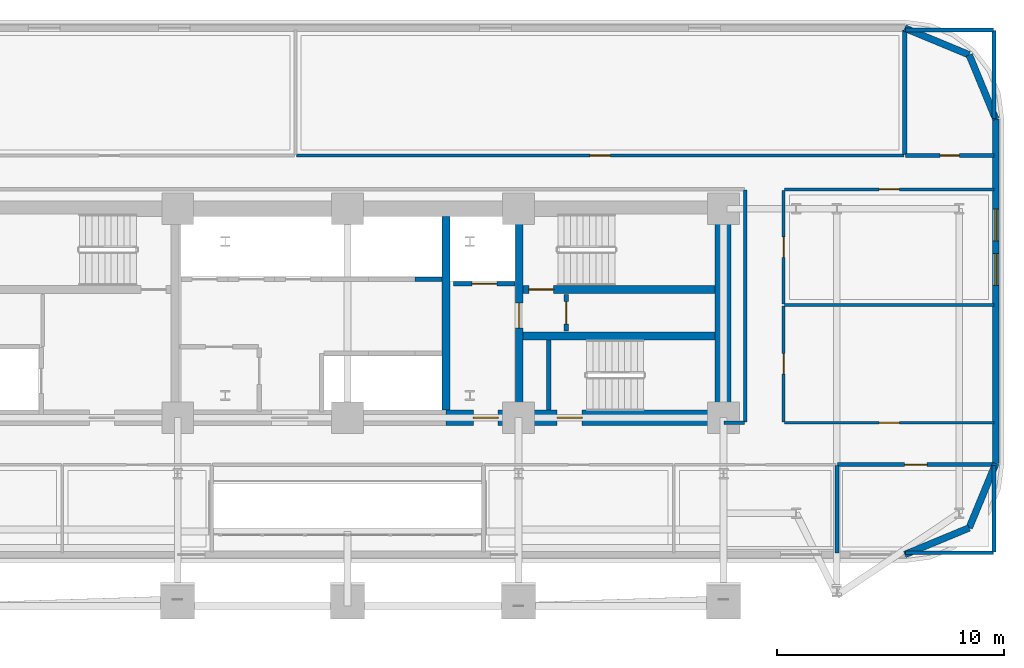
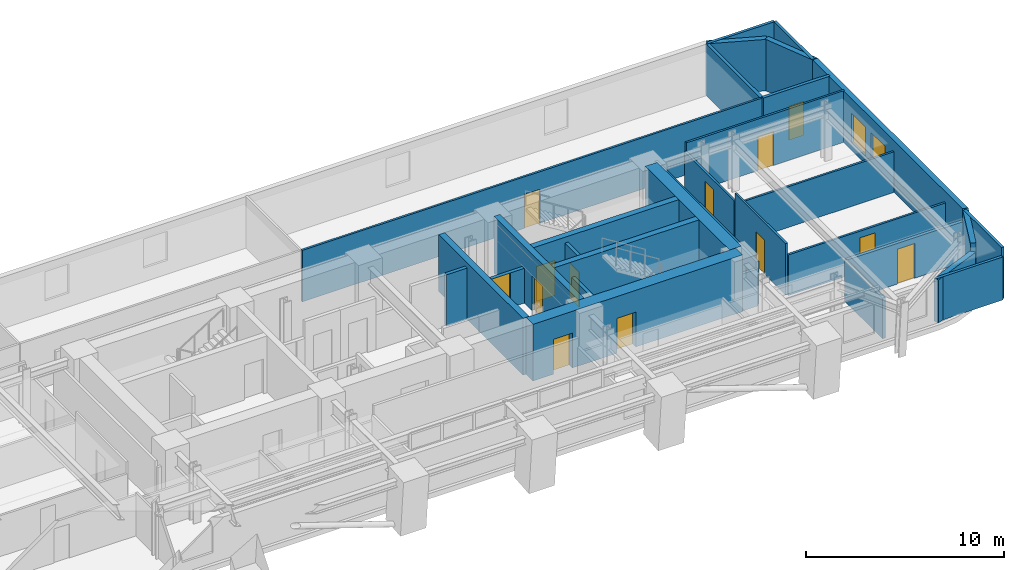
# One storey, part 9 of 15: 31 walls, 13 doors, 2 windows, 15 openings.
"""IFC4 building model written with IfcOpenShell, lengths in metres."""

from ifc_helpers import new_model, si_unit, direction, frame, frame_2d, origin, place, context, subcontext, project, spatial, rectangle, extrude, material, layer, layer_set, type_object, element, fill, save


model = new_model("IFC4")

# Units and contexts
model_context = context("Model", 3, precision=1e-05, world=origin(), true_north=direction((0.0, 1.0)))
body_context = subcontext(model_context, "Body", "Model", "MODEL_VIEW")
ifc_project = project(units=[si_unit("LENGTHUNIT", "METRE"), si_unit("AREAUNIT", "SQUARE_METRE"), si_unit("VOLUMEUNIT", "CUBIC_METRE"), si_unit("PLANEANGLEUNIT", "RADIAN"), si_unit("MASSUNIT", "GRAM", prefix="KILO")], contexts=[model_context])

# Site, building, storey
site_placement = place(None, origin())
site = spatial("IfcSite", under=ifc_project, at=site_placement, CompositionType="ELEMENT")
building_placement = place(site_placement, origin())
building = spatial("IfcBuilding", under=site, at=building_placement, Name="Zarnavel Station Tower", CompositionType="ELEMENT")
storey_placement = place(building_placement, frame((0.0, 0.0, 71.0)))
storey = spatial("IfcBuildingStorey", under=building, at=storey_placement, Name="L19", CompositionType="ELEMENT", Elevation=71.0)

# Wall
ifc_material_1 = material(Name="Concrete C50/60", Category="concrete")
ifc_layer_1 = layer(ifc_material_1, 0.35009765625)
ifc_layer_set_1 = layer_set([ifc_layer_1], Name="CW_350")
wall_type_1 = type_object("IfcWallType", Name="CW_350", PredefinedType="SHEAR", material=ifc_layer_set_1)
wall_1_placement = place(storey_placement, frame((33.14990234375, 28.169921875, 0.0), z_axis=(0.0, 0.0, 1.0), x_axis=(0.0, 1.0, 0.0)))
element("IfcWall", 1, at=wall_1_placement, inside=storey, type_object=wall_type_1, Name="L19 Rear Core Shear Wall DIV-E", PredefinedType="SHEAR", context=body_context, shape_type="SweptSolid", body=[
    extrude(rectangle(XDim=8.530029296875, YDim=0.35009765625, at=frame_2d((4.26513671875, 0.0))), origin(), (0.0, 0.0, 1.0), 3.5),
])

# Wall, opening, door
wall_2_placement = place(storey_placement, frame((36.3798828125, 28.169921875, 0.0), z_axis=(0.0, 0.0, 1.0), x_axis=(0.0, 1.0, 0.0)))
wall_2 = element("IfcWall", 2, at=wall_2_placement, inside=storey, type_object=wall_type_1, Name="L19 Rear Core Shear Wall DIV-S2", PredefinedType="SHEAR", context=body_context, shape_type="SweptSolid", body=[
    extrude(rectangle(XDim=8.530029296875, YDim=0.35009765625, at=frame_2d((4.26513671875, 0.0))), origin(), (0.0, 0.0, 1.0), 3.5),
])
opening_1_placement = place(wall_2_placement, frame((3.610107421875, 0.0, 0.0)))
opening_1 = element("IfcOpeningElement", 3, at=opening_1_placement, cuts=wall_2, Name="Opening FD01", PredefinedType="OPENING", context=body_context, shape_type="SweptSolid", body=[
    extrude(rectangle(XDim=1.10009765625, YDim=2.14990234375, at=frame_2d((0.550048828125, 1.074951171875))), frame((0.0, 0.18505859375, 0.0), z_axis=(0.0, -1.0, 0.0), x_axis=(1.0, 0.0, 0.0)), (0.0, 0.0, 1.0), 0.3701171875),
])
ifc_material_2 = material(Name="Painted Galvanised Steel and Hardwood Leaf", Category="steel")
door_type_1 = type_object("IfcDoorType", Name="ID_STAIR_1100", OperationType="NOTDEFINED", PredefinedType="DOOR", material=ifc_material_2)
door_1_placement = place(opening_1_placement, origin())
door_1 = element("IfcDoor", 4, at=door_1_placement, inside=storey, type_object=door_type_1, Name="L19 East Stair Vestibule Fire Door", OperationType="SINGLE_SWING_LEFT", OverallHeight=2.14990234375, OverallWidth=1.10009765625, PredefinedType="DOOR", context=body_context, shape_type="SweptSolid", body=[
    extrude(rectangle(XDim=1.10009765625, YDim=2.14990234375, at=frame_2d((0.550048828125, 1.074951171875))), frame((0.0, 0.02490234375, 0.0), z_axis=(0.0, -1.0, 0.0), x_axis=(1.0, 0.0, 0.0)), (0.0, 0.0, 1.0), 0.050048828125),
])
fill(opening_1, door_1)

wall_3_placement = place(storey_placement, frame((45.030029296875, 33.47998046875, 0.0), z_axis=(0.0, 0.0, 1.0), x_axis=(-1.0, 0.0, 0.0)))
wall_3 = element("IfcWall", 5, at=wall_3_placement, inside=storey, type_object=wall_type_1, Name="L19 Rear Core Shear Wall DIV-H2", PredefinedType="SHEAR", context=body_context, shape_type="SweptSolid", body=[
    extrude(rectangle(XDim=8.47509765625, YDim=0.35009765625, at=frame_2d((4.237548828125, 0.0))), origin(), (0.0, 0.0, 1.0), 3.5),
])
opening_2_placement = place(wall_3_placement, frame((7.1298828125, 0.0, 0.0)))
opening_2 = element("IfcOpeningElement", 6, at=opening_2_placement, cuts=wall_3, Name="Opening FD01", PredefinedType="OPENING", context=body_context, shape_type="SweptSolid", body=[
    extrude(rectangle(XDim=1.10009765625, YDim=2.14990234375, at=frame_2d((0.550048828125, 1.074951171875))), frame((0.0, 0.18505859375, 0.0), z_axis=(0.0, -1.0, 0.0), x_axis=(1.0, 0.0, 0.0)), (0.0, 0.0, 1.0), 0.3701171875),
])
door_2_placement = place(opening_2_placement, origin())
door_2 = element("IfcDoor", 7, at=door_2_placement, inside=storey, type_object=door_type_1, Name="L19 Stair ST2 Lobby Fire Door", OperationType="SINGLE_SWING_RIGHT", OverallHeight=2.14990234375, OverallWidth=1.10009765625, PredefinedType="DOOR", context=body_context, shape_type="SweptSolid", body=[
    extrude(rectangle(XDim=1.10009765625, YDim=2.14990234375, at=frame_2d((0.550048828125, 1.074951171875))), frame((0.0, 0.02490234375, 0.0), z_axis=(0.0, -1.0, 0.0), x_axis=(1.0, 0.0, 0.0)), (0.0, 0.0, 1.0), 0.050048828125),
])
fill(opening_2, door_2)

# Wall
wall_4_placement = place(storey_placement, frame((36.554931640625, 31.419921875, 0.0), z_axis=(0.0, 0.0, 1.0), x_axis=(1.0, 0.0, 0.0)))
element("IfcWall", 8, at=wall_4_placement, inside=storey, type_object=wall_type_1, Name="L19 Rear Core Shear Wall DIV-H3", PredefinedType="SHEAR", context=body_context, shape_type="SweptSolid", body=[
    extrude(rectangle(XDim=8.47509765625, YDim=0.35009765625, at=frame_2d((4.237548828125, 0.0))), origin(), (0.0, 0.0, 1.0), 3.5),
])

# Wall, openings, doors
ifc_material_3 = material(Name="Concrete C60/75", Category="concrete")
ifc_layer_2 = layer(ifc_material_3, 0.699951171875)
ifc_layer_set_2 = layer_set([ifc_layer_2], Name="CW_700")
wall_type_2 = type_object("IfcWallType", Name="CW_700", PredefinedType="SHEAR", material=ifc_layer_set_2)
wall_5_placement = place(storey_placement, frame((45.3798828125, 27.820068359375, 0.0), z_axis=(0.0, 0.0, 1.0), x_axis=(-1.0, 0.0, 0.0)))
wall_5 = element("IfcWall", 9, at=wall_5_placement, inside=storey, type_object=wall_type_2, Name="L19 Rear Core Shear Wall S-E", PredefinedType="SHEAR", context=body_context, shape_type="SweptSolid", body=[
    extrude(rectangle(XDim=12.22998046875, YDim=0.699951171875, at=frame_2d((6.114990234375, 0.0))), origin(), (0.0, 0.0, 1.0), 3.5),
])
opening_3_placement = place(wall_5_placement, frame((9.929931640625, 0.0, 0.0)))
opening_3 = element("IfcOpeningElement", 10, at=opening_3_placement, cuts=wall_5, Name="Opening FD01", PredefinedType="OPENING", context=body_context, shape_type="SweptSolid", body=[
    extrude(rectangle(XDim=1.10009765625, YDim=2.14990234375, at=frame_2d((0.550048828125, 1.074951171875))), frame((0.0, 0.35986328125, 0.0), z_axis=(0.0, -1.0, 0.0), x_axis=(1.0, 0.0, 0.0)), (0.0, 0.0, 1.0), 0.719970703125),
])
opening_4_placement = place(wall_5_placement, frame((6.22998046875, 0.0, 0.0)))
opening_4 = element("IfcOpeningElement", 11, at=opening_4_placement, cuts=wall_5, Name="Opening FD01", PredefinedType="OPENING", context=body_context, shape_type="SweptSolid", body=[
    extrude(rectangle(XDim=1.10009765625, YDim=2.14990234375, at=frame_2d((0.550048828125, 1.074951171875))), frame((0.0, 0.35986328125, 0.0), z_axis=(0.0, -1.0, 0.0), x_axis=(1.0, 0.0, 0.0)), (0.0, 0.0, 1.0), 0.719970703125),
])
door_3_placement = place(opening_3_placement, origin())
door_3 = element("IfcDoor", 12, at=door_3_placement, inside=storey, type_object=door_type_1, Name="L19 East Firefighting Lobby Door", OperationType="SINGLE_SWING_LEFT", OverallHeight=2.14990234375, OverallWidth=1.10009765625, PredefinedType="DOOR", context=body_context, shape_type="SweptSolid", body=[
    extrude(rectangle(XDim=1.10009765625, YDim=2.14990234375, at=frame_2d((0.550048828125, 1.074951171875))), frame((0.0, 0.02490234375, 0.0), z_axis=(0.0, -1.0, 0.0), x_axis=(1.0, 0.0, 0.0)), (0.0, 0.0, 1.0), 0.050048828125),
])
fill(opening_3, door_3)
door_4_placement = place(opening_4_placement, origin())
door_4 = element("IfcDoor", 13, at=door_4_placement, inside=storey, type_object=door_type_1, Name="L19 Stair ST3 Corridor Fire Door", OperationType="SINGLE_SWING_RIGHT", OverallHeight=2.14990234375, OverallWidth=1.10009765625, PredefinedType="DOOR", context=body_context, shape_type="SweptSolid", body=[
    extrude(rectangle(XDim=1.10009765625, YDim=2.14990234375, at=frame_2d((0.550048828125, 1.074951171875))), frame((0.0, 0.02490234375, 0.0), z_axis=(0.0, -1.0, 0.0), x_axis=(1.0, 0.0, 0.0)), (0.0, 0.0, 1.0), 0.050048828125),
])
fill(opening_4, door_4)

# Walls
wall_6_placement = place(storey_placement, frame((45.3798828125, 28.169921875, 0.0), z_axis=(0.0, 0.0, 1.0), x_axis=(0.0, 1.0, 0.0)))
element("IfcWall", 14, at=wall_6_placement, inside=storey, type_object=wall_type_2, Name="L19 Rear Core Shear Wall E", PredefinedType="SHEAR", context=body_context, shape_type="SweptSolid", body=[
    extrude(rectangle(XDim=8.530029296875, YDim=0.699951171875, at=frame_2d((4.26513671875, 0.0))), origin(), (0.0, 0.0, 1.0), 3.5),
])
ifc_material_4 = material(Name="Precast concrete C45/55 (Dark Basalt Finish)", Category="masonry")
ifc_layer_3 = layer(ifc_material_4, 0.300048828125)
ifc_layer_set_3 = layer_set([ifc_layer_3], Name="EW_BASALT_300")
wall_type_3 = type_object("IfcWallType", Name="EW_BASALT_300", PredefinedType="SOLIDWALL", material=ifc_layer_set_3)
wall_7_placement = place(storey_placement, frame((56.24267578125, 22.95751953125, 0.0), z_axis=(0.0, 0.0, 1.0), x_axis=(-0.923882414032, -0.382676475685, 0.0)))
element("IfcWall", 15, at=wall_7_placement, inside=storey, type_object=wall_type_3, Name="L19 Exterior Basalt Masonry Frame Wall 01", PredefinedType="SOLIDWALL", context=body_context, shape_type="SweptSolid", body=[
    extrude(rectangle(XDim=3.076904296875, YDim=0.300048828125, at=frame_2d((1.53857421875, 0.0))), origin(), (0.0, 0.0, 1.0), 2.659912109375),
])
wall_8_placement = place(storey_placement, frame((57.419921875, 25.800048828125, 0.0), z_axis=(0.0, 0.0, 1.0), x_axis=(-0.382636798336, -0.92389884758, 0.0)))
element("IfcWall", 16, at=wall_8_placement, inside=storey, type_object=wall_type_3, Name="L19 Exterior Basalt Masonry Frame Wall 02", PredefinedType="SOLIDWALL", context=body_context, shape_type="SweptSolid", body=[
    extrude(rectangle(XDim=3.07666015625, YDim=0.300048828125, at=frame_2d((1.538330078125, 0.0))), origin(), (0.0, 0.0, 1.0), 3.179931640625),
])

# Wall, openings, windows
wall_9_placement = place(storey_placement, frame((57.419921875, 41.0, 0.0), z_axis=(0.0, 0.0, 1.0), x_axis=(0.0, -1.0, 0.0)))
wall_9 = element("IfcWall", 17, at=wall_9_placement, inside=storey, type_object=wall_type_3, Name="L19 Exterior Basalt Masonry Frame Wall 03", PredefinedType="SOLIDWALL", context=body_context, shape_type="SweptSolid", body=[
    extrude(rectangle(XDim=15.199951171875, YDim=0.300048828125, at=frame_2d((7.60009765625, 0.0))), origin(), (0.0, 0.0, 1.0), 3.179931640625),
])
opening_5_placement = place(wall_9_placement, frame((3.966796875, 0.0, 0.47998046875)))
opening_5 = element("IfcOpeningElement", 18, at=opening_5_placement, cuts=wall_9, Name="Opening WN01", PredefinedType="OPENING", context=body_context, shape_type="SweptSolid", body=[
    extrude(rectangle(XDim=1.39990234375, YDim=1.800048828125, at=frame_2d((0.699951171875, 0.89990234375))), frame((0.0, 0.159912109375, 0.0), z_axis=(0.0, -1.0, 0.0), x_axis=(1.0, 0.0, 0.0)), (0.0, 0.0, 1.0), 0.320068359375),
])
opening_6_placement = place(wall_9_placement, frame((5.933349609375, 0.0, 0.47998046875)))
opening_6 = element("IfcOpeningElement", 19, at=opening_6_placement, cuts=wall_9, Name="Opening WN01", PredefinedType="OPENING", context=body_context, shape_type="SweptSolid", body=[
    extrude(rectangle(XDim=1.39990234375, YDim=1.800048828125, at=frame_2d((0.699951171875, 0.89990234375))), frame((0.0, 0.159912109375, 0.0), z_axis=(0.0, -1.0, 0.0), x_axis=(1.0, 0.0, 0.0)), (0.0, 0.0, 1.0), 0.320068359375),
])
ifc_material_5 = material(Name="Thermally Broken Black Aluminium and Low-E Dark Glass", Category="aluminium")
window_type = type_object("IfcWindowType", Name="WN_1400x1800", PartitioningType="DOUBLE_PANEL_VERTICAL", PredefinedType="WINDOW", material=ifc_material_5)
window_1_placement = place(opening_5_placement, origin())
window_1 = element("IfcWindow", 20, at=window_1_placement, inside=storey, type_object=window_type, Name="L19 Recessed Facade Window 01", OverallHeight=1.800048828125, OverallWidth=1.39990234375, PartitioningType="SINGLE_PANEL", PredefinedType="WINDOW", context=body_context, shape_type="SweptSolid", body=[
    extrude(rectangle(XDim=1.39990234375, YDim=1.800048828125, at=frame_2d((0.699951171875, 0.89990234375))), frame((0.0, 0.030029296875, 0.0), z_axis=(0.0, -1.0, 0.0), x_axis=(1.0, 0.0, 0.0)), (0.0, 0.0, 1.0), 0.06005859375),
])
fill(opening_5, window_1)
window_2_placement = place(opening_6_placement, origin())
window_2 = element("IfcWindow", 21, at=window_2_placement, inside=storey, type_object=window_type, Name="L19 Recessed Facade Window 02", OverallHeight=1.800048828125, OverallWidth=1.39990234375, PartitioningType="SINGLE_PANEL", PredefinedType="WINDOW", context=body_context, shape_type="SweptSolid", body=[
    extrude(rectangle(XDim=1.39990234375, YDim=1.800048828125, at=frame_2d((0.699951171875, 0.89990234375))), frame((0.0, 0.030029296875, 0.0), z_axis=(0.0, -1.0, 0.0), x_axis=(1.0, 0.0, 0.0)), (0.0, 0.0, 1.0), 0.06005859375),
])
fill(opening_6, window_2)

# Walls
wall_10_placement = place(storey_placement, frame((56.24267578125, 43.842529296875, 0.0), z_axis=(0.0, 0.0, 1.0), x_axis=(0.382636798336, -0.92389884758, 0.0)))
element("IfcWall", 22, at=wall_10_placement, inside=storey, type_object=wall_type_3, Name="L19 Exterior Basalt Masonry Frame Wall 04", PredefinedType="SOLIDWALL", context=body_context, shape_type="SweptSolid", body=[
    extrude(rectangle(XDim=3.07666015625, YDim=0.300048828125, at=frame_2d((1.538330078125, 0.0))), origin(), (0.0, 0.0, 1.0), 3.179931640625),
])
wall_11_placement = place(storey_placement, frame((53.39990234375, 45.02001953125, 0.0), z_axis=(0.0, 0.0, 1.0), x_axis=(0.923882414032, -0.382676475685, 0.0)))
element("IfcWall", 23, at=wall_11_placement, inside=storey, type_object=wall_type_3, Name="L19 Exterior Basalt Masonry Frame Wall 05", PredefinedType="SOLIDWALL", context=body_context, shape_type="SweptSolid", body=[
    extrude(rectangle(XDim=3.076904296875, YDim=0.300048828125, at=frame_2d((1.53857421875, 0.0))), origin(), (0.0, 0.0, 1.0), 3.179931640625),
])
ifc_material_6 = material(Name="Gypsum Twin-Stud Acoustic Fire Partition", Category="concrete")
ifc_layer_4 = layer(ifc_material_6, 0.159912109375)
ifc_layer_set_4 = layer_set([ifc_layer_4], Name="PT_DEMISE_160")
wall_type_4 = type_object("IfcWallType", Name="PT_DEMISE_160", PredefinedType="PARTITIONING", material=ifc_layer_set_4)
wall_12_placement = place(storey_placement, frame((45.409912109375, 27.60009765625, 0.0), z_axis=(0.0, 0.0, 1.0), x_axis=(1.0, 0.0, 0.0)))
element("IfcWall", 24, at=wall_12_placement, inside=storey, type_object=wall_type_4, Name="L19 Enclosure Wall COR-S", PredefinedType="PARTITIONING", context=body_context, shape_type="SweptSolid", body=[
    extrude(rectangle(XDim=0.91015625, YDim=0.159912109375, at=frame_2d((0.455078125, 0.0))), origin(), (0.0, 0.0, 1.0), 2.280029296875),
])
wall_13_placement = place(storey_placement, frame((46.35009765625, 27.6298828125, 0.0), z_axis=(0.0, 0.0, 1.0), x_axis=(0.0, 1.0, 0.0)))
element("IfcWall", 25, at=wall_13_placement, inside=storey, type_object=wall_type_4, Name="L19 Enclosure Wall COR-E", PredefinedType="PARTITIONING", context=body_context, shape_type="SweptSolid", body=[
    extrude(rectangle(XDim=10.240234375, YDim=0.159912109375, at=frame_2d((5.1201171875, 0.0))), origin(), (0.0, 0.0, 1.0), 2.659912109375),
])
wall_14_placement = place(storey_placement, frame((53.429931640625, 44.93994140625, 0.0), z_axis=(0.0, 0.0, 1.0), x_axis=(1.0, 0.0, 0.0)))
element("IfcWall", 26, at=wall_14_placement, inside=storey, type_object=wall_type_4, Name="L19 Enclosure Wall NL6W", PredefinedType="PARTITIONING", context=body_context, shape_type="SweptSolid", body=[
    extrude(rectangle(XDim=3.880126953125, YDim=0.159912109375, at=frame_2d((1.93994140625, 0.0))), origin(), (0.0, 0.0, 1.0), 3.179931640625),
])
wall_15_placement = place(storey_placement, frame((57.340087890625, 41.030029296875, 0.0), z_axis=(0.0, 0.0, 1.0), x_axis=(0.0, 1.0, 0.0)))
element("IfcWall", 27, at=wall_15_placement, inside=storey, type_object=wall_type_4, Name="L19 Enclosure Wall NL6W", PredefinedType="PARTITIONING", context=body_context, shape_type="SweptSolid", body=[
    extrude(rectangle(XDim=3.8798828125, YDim=0.159912109375, at=frame_2d((1.93994140625, 0.0))), origin(), (0.0, 0.0, 1.0), 3.179931640625),
])
wall_16_placement = place(storey_placement, frame((53.429931640625, 21.860107421875, 0.0), z_axis=(0.0, 0.0, 1.0), x_axis=(1.0, 0.0, 0.0)))
element("IfcWall", 28, at=wall_16_placement, inside=storey, type_object=wall_type_4, Name="L19 Enclosure Wall Z1KIT", PredefinedType="PARTITIONING", context=body_context, shape_type="SweptSolid", body=[
    extrude(rectangle(XDim=3.880126953125, YDim=0.159912109375, at=frame_2d((1.93994140625, 0.0))), origin(), (0.0, 0.0, 1.0), 2.659912109375),
])
wall_17_placement = place(storey_placement, frame((57.340087890625, 21.889892578125, 0.0), z_axis=(0.0, 0.0, 1.0), x_axis=(0.0, 1.0, 0.0)))
element("IfcWall", 29, at=wall_17_placement, inside=storey, type_object=wall_type_4, Name="L19 Enclosure Wall Z1KIT", PredefinedType="PARTITIONING", context=body_context, shape_type="SweptSolid", body=[
    extrude(rectangle(XDim=3.830078125, YDim=0.159912109375, at=frame_2d((1.9150390625, 0.0))), origin(), (0.0, 0.0, 1.0), 3.179931640625),
])

# Wall, opening, door
ifc_material_7 = material(Name="Gypsum Metal-Stud Interior Partition", Category="concrete")
ifc_layer_5 = layer(ifc_material_7, 0.1201171875)
ifc_layer_set_5 = layer_set([ifc_layer_5], Name="PT_ROOM_120")
wall_type_5 = type_object("IfcWallType", Name="PT_ROOM_120", PredefinedType="PARTITIONING", material=ifc_layer_set_5)
wall_18_placement = place(storey_placement, frame((48.090087890625, 27.60009765625, 0.0), z_axis=(0.0, 0.0, 1.0), x_axis=(1.0, 0.0, 0.0)))
wall_18 = element("IfcWall", 30, at=wall_18_placement, inside=storey, type_object=wall_type_5, Name="L19 Partition COR-S-FNE6A", PredefinedType="PARTITIONING", context=body_context, shape_type="SweptSolid", body=[
    extrude(rectangle(XDim=9.25, YDim=0.1201171875, at=frame_2d((4.625, 0.0))), origin(), (0.0, 0.0, 1.0), 2.510009765625),
])
opening_7_placement = place(wall_18_placement, frame((4.175048828125, 0.0, 0.0)))
opening_7 = element("IfcOpeningElement", 31, at=opening_7_placement, cuts=wall_18, Name="Opening ID01", PredefinedType="OPENING", context=body_context, shape_type="SweptSolid", body=[
    extrude(rectangle(XDim=0.89990234375, YDim=2.10009765625, at=frame_2d((0.449951171875, 1.050048828125))), frame((0.0, 0.070068359375, 0.0), z_axis=(0.0, -1.0, 0.0), x_axis=(1.0, 0.0, 0.0)), (0.0, 0.0, 1.0), 0.14013671875),
])
ifc_material_8 = material(Name="Painted Galvanised Steel and Hardwood Leaf", Category="steel")
door_type_2 = type_object("IfcDoorType", Name="ID_ROOM_900", OperationType="NOTDEFINED", PredefinedType="DOOR", material=ifc_material_8)
door_5_placement = place(opening_7_placement, origin())
door_5 = element("IfcDoor", 32, at=door_5_placement, inside=storey, type_object=door_type_2, Name="L19 Door COR-S-FNE6A", OperationType="SINGLE_SWING_LEFT", OverallHeight=2.10009765625, OverallWidth=0.89990234375, PredefinedType="DOOR", context=body_context, shape_type="SweptSolid", body=[
    extrude(rectangle(XDim=0.89990234375, YDim=2.10009765625, at=frame_2d((0.449951171875, 1.050048828125))), frame((0.0, 0.02490234375, 0.0), z_axis=(0.0, -1.0, 0.0), x_axis=(1.0, 0.0, 0.0)), (0.0, 0.0, 1.0), 0.050048828125),
])
fill(opening_7, door_5)

wall_19_placement = place(storey_placement, frame((48.050048828125, 27.639892578125, 0.0), z_axis=(0.0, 0.0, 1.0), x_axis=(0.0, 1.0, 0.0)))
wall_19 = element("IfcWall", 33, at=wall_19_placement, inside=storey, type_object=wall_type_5, Name="L19 Partition COR-E-FNE6A", PredefinedType="PARTITIONING", context=body_context, shape_type="SweptSolid", body=[
    extrude(rectangle(XDim=5.1201171875, YDim=0.1201171875, at=frame_2d((2.56005859375, 0.0))), origin(), (0.0, 0.0, 1.0), 3.179931640625),
])
opening_8_placement = place(wall_19_placement, frame((2.110107421875, 0.0, 0.0)))
opening_8 = element("IfcOpeningElement", 34, at=opening_8_placement, cuts=wall_19, Name="Opening ID01", PredefinedType="OPENING", context=body_context, shape_type="SweptSolid", body=[
    extrude(rectangle(XDim=0.89990234375, YDim=2.10009765625, at=frame_2d((0.449951171875, 1.050048828125))), frame((0.0, 0.070068359375, 0.0), z_axis=(0.0, -1.0, 0.0), x_axis=(1.0, 0.0, 0.0)), (0.0, 0.0, 1.0), 0.14013671875),
])
door_6_placement = place(opening_8_placement, origin())
door_6 = element("IfcDoor", 35, at=door_6_placement, inside=storey, type_object=door_type_2, Name="L19 Door COR-E-FNE6A", OperationType="SINGLE_SWING_RIGHT", OverallHeight=2.10009765625, OverallWidth=0.89990234375, PredefinedType="DOOR", context=body_context, shape_type="SweptSolid", body=[
    extrude(rectangle(XDim=0.89990234375, YDim=2.10009765625, at=frame_2d((0.449951171875, 1.050048828125))), frame((0.0, 0.02490234375, 0.0), z_axis=(0.0, -1.0, 0.0), x_axis=(1.0, 0.0, 0.0)), (0.0, 0.0, 1.0), 0.050048828125),
])
fill(opening_8, door_6)

wall_20_placement = place(storey_placement, frame((48.050048828125, 32.840087890625, 0.0), z_axis=(0.0, 0.0, 1.0), x_axis=(0.0, 1.0, 0.0)))
wall_20 = element("IfcWall", 36, at=wall_20_placement, inside=storey, type_object=wall_type_5, Name="L19 Partition COR-E-FNE6B", PredefinedType="PARTITIONING", context=body_context, shape_type="SweptSolid", body=[
    extrude(rectangle(XDim=5.02001953125, YDim=0.1201171875, at=frame_2d((2.510009765625, 0.0))), origin(), (0.0, 0.0, 1.0), 2.659912109375),
])
opening_9_placement = place(wall_20_placement, frame((2.06005859375, 0.0, 0.0)))
opening_9 = element("IfcOpeningElement", 37, at=opening_9_placement, cuts=wall_20, Name="Opening ID01", PredefinedType="OPENING", context=body_context, shape_type="SweptSolid", body=[
    extrude(rectangle(XDim=0.89990234375, YDim=2.10009765625, at=frame_2d((0.449951171875, 1.050048828125))), frame((0.0, 0.070068359375, 0.0), z_axis=(0.0, -1.0, 0.0), x_axis=(1.0, 0.0, 0.0)), (0.0, 0.0, 1.0), 0.14013671875),
])
door_7_placement = place(opening_9_placement, origin())
door_7 = element("IfcDoor", 38, at=door_7_placement, inside=storey, type_object=door_type_2, Name="L19 Door COR-E-FNE6B", OperationType="SINGLE_SWING_LEFT", OverallHeight=2.10009765625, OverallWidth=0.89990234375, PredefinedType="DOOR", context=body_context, shape_type="SweptSolid", body=[
    extrude(rectangle(XDim=0.89990234375, YDim=2.10009765625, at=frame_2d((0.449951171875, 1.050048828125))), frame((0.0, 0.02490234375, 0.0), z_axis=(0.0, -1.0, 0.0), x_axis=(1.0, 0.0, 0.0)), (0.0, 0.0, 1.0), 0.050048828125),
])
fill(opening_9, door_7)

wall_21_placement = place(storey_placement, frame((48.090087890625, 37.89990234375, 0.0), z_axis=(0.0, 0.0, 1.0), x_axis=(1.0, 0.0, 0.0)))
wall_21 = element("IfcWall", 39, at=wall_21_placement, inside=storey, type_object=wall_type_5, Name="L19 Partition COR-N-FNE6B", PredefinedType="PARTITIONING", context=body_context, shape_type="SweptSolid", body=[
    extrude(rectangle(XDim=9.25, YDim=0.1201171875, at=frame_2d((4.625, 0.0))), origin(), (0.0, 0.0, 1.0), 3.179931640625),
])
opening_10_placement = place(wall_21_placement, frame((4.175048828125, 0.0, 0.0)))
opening_10 = element("IfcOpeningElement", 40, at=opening_10_placement, cuts=wall_21, Name="Opening ID01", PredefinedType="OPENING", context=body_context, shape_type="SweptSolid", body=[
    extrude(rectangle(XDim=0.89990234375, YDim=2.10009765625, at=frame_2d((0.449951171875, 1.050048828125))), frame((0.0, 0.070068359375, 0.0), z_axis=(0.0, -1.0, 0.0), x_axis=(1.0, 0.0, 0.0)), (0.0, 0.0, 1.0), 0.14013671875),
])
door_8_placement = place(opening_10_placement, origin())
door_8 = element("IfcDoor", 41, at=door_8_placement, inside=storey, type_object=door_type_2, Name="L19 Door COR-N-FNE6B", OperationType="SINGLE_SWING_LEFT", OverallHeight=2.10009765625, OverallWidth=0.89990234375, PredefinedType="DOOR", context=body_context, shape_type="SweptSolid", body=[
    extrude(rectangle(XDim=0.89990234375, YDim=2.10009765625, at=frame_2d((0.449951171875, 1.050048828125))), frame((0.0, 0.02490234375, 0.0), z_axis=(0.0, -1.0, 0.0), x_axis=(1.0, 0.0, 0.0)), (0.0, 0.0, 1.0), 0.050048828125),
])
fill(opening_10, door_8)

wall_22_placement = place(storey_placement, frame((26.5400390625, 39.39990234375, 0.0), z_axis=(0.0, 0.0, 1.0), x_axis=(1.0, 0.0, 0.0)))
wall_22 = element("IfcWall", 42, at=wall_22_placement, inside=storey, type_object=wall_type_5, Name="L19 Partition COR-N-NL6B", PredefinedType="PARTITIONING", context=body_context, shape_type="SweptSolid", body=[
    extrude(rectangle(XDim=26.820068359375, YDim=0.1201171875, at=frame_2d((13.41015625, 0.0))), origin(), (0.0, 0.0, 1.0), 3.179931640625),
])
opening_11_placement = place(wall_22_placement, frame((12.9599609375, 0.0, 0.0)))
opening_11 = element("IfcOpeningElement", 43, at=opening_11_placement, cuts=wall_22, Name="Opening ID01", PredefinedType="OPENING", context=body_context, shape_type="SweptSolid", body=[
    extrude(rectangle(XDim=0.89990234375, YDim=2.10009765625, at=frame_2d((0.449951171875, 1.050048828125))), frame((0.0, 0.070068359375, 0.0), z_axis=(0.0, -1.0, 0.0), x_axis=(1.0, 0.0, 0.0)), (0.0, 0.0, 1.0), 0.14013671875),
])
door_9_placement = place(opening_11_placement, origin())
door_9 = element("IfcDoor", 44, at=door_9_placement, inside=storey, type_object=door_type_2, Name="L19 Door COR-N-NL6B", OperationType="SINGLE_SWING_RIGHT", OverallHeight=2.10009765625, OverallWidth=0.89990234375, PredefinedType="DOOR", context=body_context, shape_type="SweptSolid", body=[
    extrude(rectangle(XDim=0.89990234375, YDim=2.10009765625, at=frame_2d((0.449951171875, 1.050048828125))), frame((0.0, 0.02490234375, 0.0), z_axis=(0.0, -1.0, 0.0), x_axis=(1.0, 0.0, 0.0)), (0.0, 0.0, 1.0), 0.050048828125),
])
fill(opening_11, door_9)

# Wall
wall_23_placement = place(storey_placement, frame((48.090087890625, 32.800048828125, 0.0), z_axis=(0.0, 0.0, 1.0), x_axis=(1.0, 0.0, 0.0)))
element("IfcWall", 45, at=wall_23_placement, inside=storey, type_object=wall_type_5, Name="L19 Partition FNE6A-FNE6B", PredefinedType="PARTITIONING", context=body_context, shape_type="SweptSolid", body=[
    extrude(rectangle(XDim=9.25, YDim=0.1201171875, at=frame_2d((4.625, 0.0))), origin(), (0.0, 0.0, 1.0), 2.510009765625),
])

# Wall, opening, door
ifc_material_9 = material(Name="Precast concrete C45/55 (Fire Shaft Blockwork)", Category="masonry")
ifc_layer_6 = layer(ifc_material_9, 0.199951171875)
ifc_layer_set_6 = layer_set([ifc_layer_6], Name="PT_SHAFT_200")
wall_type_6 = type_object("IfcWallType", Name="PT_SHAFT_200", PredefinedType="PARTITIONING", material=ifc_layer_set_6)
wall_24_placement = place(storey_placement, frame((33.47509765625, 33.72998046875, 0.0), z_axis=(0.0, 0.0, 1.0), x_axis=(1.0, 0.0, 0.0)))
wall_24 = element("IfcWall", 46, at=wall_24_placement, inside=storey, type_object=wall_type_6, Name="L19 Lift FFL-02 Shaft Front Wall", PredefinedType="PARTITIONING", context=body_context, shape_type="SweptSolid", body=[
    extrude(rectangle(XDim=2.724853515625, YDim=0.199951171875, at=frame_2d((1.3623046875, 0.0))), origin(), (0.0, 0.0, 1.0), 2.152099609375),
])
opening_12_placement = place(wall_24_placement, frame((0.8125, 0.0, 0.0)))
opening_12 = element("IfcOpeningElement", 47, at=opening_12_placement, cuts=wall_24, Name="Opening LD01", PredefinedType="OPENING", context=body_context, shape_type="SweptSolid", body=[
    extrude(rectangle(XDim=1.10009765625, YDim=2.14990234375, at=frame_2d((0.550048828125, 1.074951171875))), frame((0.0, 0.10986328125, 0.0), z_axis=(0.0, -1.0, 0.0), x_axis=(1.0, 0.0, 0.0)), (0.0, 0.0, 1.0), 0.219970703125),
])
ifc_material_10 = material(Name="Painted Galvanised Steel and Hardwood Leaf", Category="steel")
door_type_3 = type_object("IfcDoorType", Name="LD_FF_1100", OperationType="DOUBLE_DOOR_SLIDING", PredefinedType="DOOR", material=ifc_material_10)
door_10_placement = place(opening_12_placement, origin())
door_10 = element("IfcDoor", 48, at=door_10_placement, inside=storey, type_object=door_type_3, Name="L19 Lift FFL-02 Sliding Landing Door", OperationType="DOUBLE_DOOR_SLIDING", OverallHeight=2.14990234375, OverallWidth=1.10009765625, PredefinedType="DOOR", context=body_context, shape_type="SweptSolid", body=[
    extrude(rectangle(XDim=1.10009765625, YDim=2.14990234375, at=frame_2d((0.550048828125, 1.074951171875))), frame((0.0, 0.02490234375, 0.0), z_axis=(0.0, -1.0, 0.0), x_axis=(1.0, 0.0, 0.0)), (0.0, 0.0, 1.0), 0.050048828125),
])
fill(opening_12, door_10)

# Walls
wall_25_placement = place(storey_placement, frame((31.77490234375, 33.929931640625, 0.0), z_axis=(0.0, 0.0, 1.0), x_axis=(1.0, 0.0, 0.0)))
element("IfcWall", 49, at=wall_25_placement, inside=storey, type_object=wall_type_6, Name="L19 Lift PL-M3 Shaft Front Wall", PredefinedType="PARTITIONING", context=body_context, shape_type="SweptSolid", body=[
    extrude(rectangle(XDim=1.2001953125, YDim=0.199951171875, at=frame_2d((0.60009765625, 0.0))), origin(), (0.0, 0.0, 1.0), 3.179931640625),
])
wall_26_placement = place(storey_placement, frame((37.679931640625, 28.169921875, 0.0), z_axis=(0.0, 0.0, 1.0), x_axis=(0.0, 1.0, 0.0)))
element("IfcWall", 50, at=wall_26_placement, inside=storey, type_object=wall_type_6, Name="L19 Stair ST3 West Shaft Wall", PredefinedType="PARTITIONING", context=body_context, shape_type="SweptSolid", body=[
    extrude(rectangle(XDim=3.080078125, YDim=0.199951171875, at=frame_2d((1.5400390625, 0.0))), origin(), (0.0, 0.0, 1.0), 2.56005859375),
])

# Wall, opening, door
wall_27_placement = place(storey_placement, frame((38.449951171875, 31.639892578125, 0.0), z_axis=(0.0, 0.0, 1.0), x_axis=(0.0, 1.0, 0.0)))
wall_27 = element("IfcWall", 51, at=wall_27_placement, inside=storey, type_object=wall_type_6, Name="L19 Partition ESTV-CEA", PredefinedType="PARTITIONING", context=body_context, shape_type="SweptSolid", body=[
    extrude(rectangle(XDim=1.6201171875, YDim=0.199951171875, at=frame_2d((0.81005859375, 0.0))), origin(), (0.0, 0.0, 1.0), 3.179931640625),
])
opening_13_placement = place(wall_27_placement, frame((0.31005859375, 0.0, 0.0)))
opening_13 = element("IfcOpeningElement", 52, at=opening_13_placement, cuts=wall_27, Name="Opening FD02", PredefinedType="OPENING", context=body_context, shape_type="SweptSolid", body=[
    extrude(rectangle(XDim=1.0, YDim=2.14990234375, at=frame_2d((0.5, 1.074951171875))), frame((0.0, 0.10986328125, 0.0), z_axis=(0.0, -1.0, 0.0), x_axis=(1.0, 0.0, 0.0)), (0.0, 0.0, 1.0), 0.219970703125),
])
ifc_material_11 = material(Name="Painted Galvanised Steel and Hardwood Leaf", Category="steel")
door_type_4 = type_object("IfcDoorType", Name="ID_ENTRY_1000", OperationType="NOTDEFINED", PredefinedType="DOOR", material=ifc_material_11)
door_11_placement = place(opening_13_placement, origin())
door_11 = element("IfcDoor", 53, at=door_11_placement, inside=storey, type_object=door_type_4, Name="L19 Door ESTV-CEA", OperationType="SINGLE_SWING_LEFT", OverallHeight=2.14990234375, OverallWidth=1.0, PredefinedType="DOOR", context=body_context, shape_type="SweptSolid", body=[
    extrude(rectangle(XDim=1.0, YDim=2.14990234375, at=frame_2d((0.5, 1.074951171875))), frame((0.0, 0.02490234375, 0.0), z_axis=(0.0, -1.0, 0.0), x_axis=(1.0, 0.0, 0.0)), (0.0, 0.0, 1.0), 0.050048828125),
])
fill(opening_13, door_11)

ifc_material_12 = material(Name="Moisture-Resistant Plumbing Chase Wall", Category="concrete")
ifc_layer_7 = layer(ifc_material_12, 0.179931640625)
ifc_layer_set_7 = layer_set([ifc_layer_7], Name="PW_PLUMB_180")
wall_type_7 = type_object("IfcWallType", Name="PW_PLUMB_180", PredefinedType="PLUMBINGWALL", material=ifc_layer_set_7)
wall_28_placement = place(storey_placement, frame((50.43994140625, 25.75, 0.0), z_axis=(0.0, 0.0, 1.0), x_axis=(1.0, 0.0, 0.0)))
wall_28 = element("IfcWall", 54, at=wall_28_placement, inside=storey, type_object=wall_type_7, Name="L19 Partition COR-S-Z1KIT", PredefinedType="PLUMBINGWALL", context=body_context, shape_type="SweptSolid", body=[
    extrude(rectangle(XDim=6.900146484375, YDim=0.179931640625, at=frame_2d((3.4501953125, 0.0))), origin(), (0.0, 0.0, 1.0), 2.510009765625),
])
opening_14_placement = place(wall_28_placement, frame((2.949951171875, 0.0, 0.0)))
opening_14 = element("IfcOpeningElement", 55, at=opening_14_placement, cuts=wall_28, Name="Opening FD02", PredefinedType="OPENING", context=body_context, shape_type="SweptSolid", body=[
    extrude(rectangle(XDim=1.0, YDim=2.14990234375, at=frame_2d((0.5, 1.074951171875))), frame((0.0, 0.099853515625, 0.0), z_axis=(0.0, -1.0, 0.0), x_axis=(1.0, 0.0, 0.0)), (0.0, 0.0, 1.0), 0.199951171875),
])
door_12_placement = place(opening_14_placement, origin())
door_12 = element("IfcDoor", 56, at=door_12_placement, inside=storey, type_object=door_type_4, Name="L19 Door COR-S-Z1KIT", OperationType="SINGLE_SWING_LEFT", OverallHeight=2.14990234375, OverallWidth=1.0, PredefinedType="DOOR", context=body_context, shape_type="SweptSolid", body=[
    extrude(rectangle(XDim=1.0, YDim=2.14990234375, at=frame_2d((0.5, 1.074951171875))), frame((0.0, 0.02490234375, 0.0), z_axis=(0.0, -1.0, 0.0), x_axis=(1.0, 0.0, 0.0)), (0.0, 0.0, 1.0), 0.050048828125),
])
fill(opening_14, door_12)

wall_29_placement = place(storey_placement, frame((53.43994140625, 39.39990234375, 0.0), z_axis=(0.0, 0.0, 1.0), x_axis=(1.0, 0.0, 0.0)))
wall_29 = element("IfcWall", 57, at=wall_29_placement, inside=storey, type_object=wall_type_7, Name="L19 Partition COR-N-NL6W", PredefinedType="PLUMBINGWALL", context=body_context, shape_type="SweptSolid", body=[
    extrude(rectangle(XDim=3.900146484375, YDim=0.179931640625, at=frame_2d((1.9501953125, 0.0))), origin(), (0.0, 0.0, 1.0), 3.179931640625),
])
opening_15_placement = place(wall_29_placement, frame((1.52490234375, 0.0, 0.0)))
opening_15 = element("IfcOpeningElement", 58, at=opening_15_placement, cuts=wall_29, Name="Opening ID02", PredefinedType="OPENING", context=body_context, shape_type="SweptSolid", body=[
    extrude(rectangle(XDim=0.85009765625, YDim=2.10009765625, at=frame_2d((0.425048828125, 1.050048828125))), frame((0.0, 0.099853515625, 0.0), z_axis=(0.0, -1.0, 0.0), x_axis=(1.0, 0.0, 0.0)), (0.0, 0.0, 1.0), 0.199951171875),
])
ifc_material_13 = material(Name="Painted Galvanised Steel and Hardwood Leaf", Category="steel")
door_type_5 = type_object("IfcDoorType", Name="ID_BATH_850", OperationType="NOTDEFINED", PredefinedType="DOOR", material=ifc_material_13)
door_13_placement = place(opening_15_placement, origin())
door_13 = element("IfcDoor", 59, at=door_13_placement, inside=storey, type_object=door_type_5, Name="L19 Door COR-N-NL6W", OperationType="SINGLE_SWING_LEFT", OverallHeight=2.10009765625, OverallWidth=0.85009765625, PredefinedType="DOOR", context=body_context, shape_type="SweptSolid", body=[
    extrude(rectangle(XDim=0.85009765625, YDim=2.10009765625, at=frame_2d((0.425048828125, 1.050048828125))), frame((0.0, 0.02490234375, 0.0), z_axis=(0.0, -1.0, 0.0), x_axis=(1.0, 0.0, 0.0)), (0.0, 0.0, 1.0), 0.050048828125),
])
fill(opening_15, door_13)

# Walls
wall_30_placement = place(storey_placement, frame((53.39990234375, 39.43994140625, 0.0), z_axis=(0.0, 0.0, 1.0), x_axis=(0.0, 1.0, 0.0)))
element("IfcWall", 60, at=wall_30_placement, inside=storey, type_object=wall_type_7, Name="L19 Partition NL6B-NL6W", PredefinedType="PLUMBINGWALL", context=body_context, shape_type="SweptSolid", body=[
    extrude(rectangle(XDim=5.5, YDim=0.179931640625, at=frame_2d((2.75, 0.0))), origin(), (0.0, 0.0, 1.0), 3.179931640625),
])
wall_31_placement = place(storey_placement, frame((50.39990234375, 21.860107421875, 0.0), z_axis=(0.0, 0.0, 1.0), x_axis=(0.0, 1.0, 0.0)))
element("IfcWall", 61, at=wall_31_placement, inside=storey, type_object=wall_type_7, Name="L19 Partition Z1BAR-Z1KIT", PredefinedType="PLUMBINGWALL", context=body_context, shape_type="SweptSolid", body=[
    extrude(rectangle(XDim=3.849853515625, YDim=0.179931640625, at=frame_2d((1.9248046875, 0.0))), origin(), (0.0, 0.0, 1.0), 2.510009765625),
])

save(model, "model.ifc")
